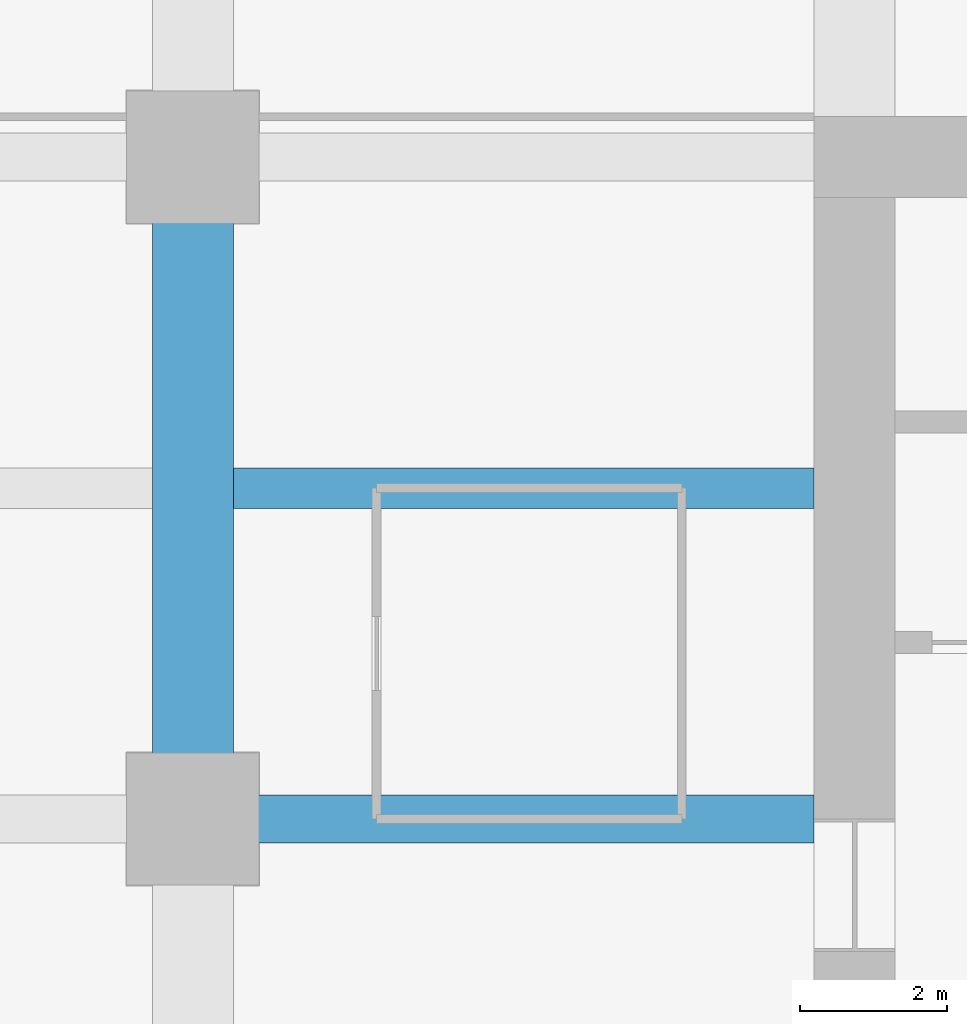
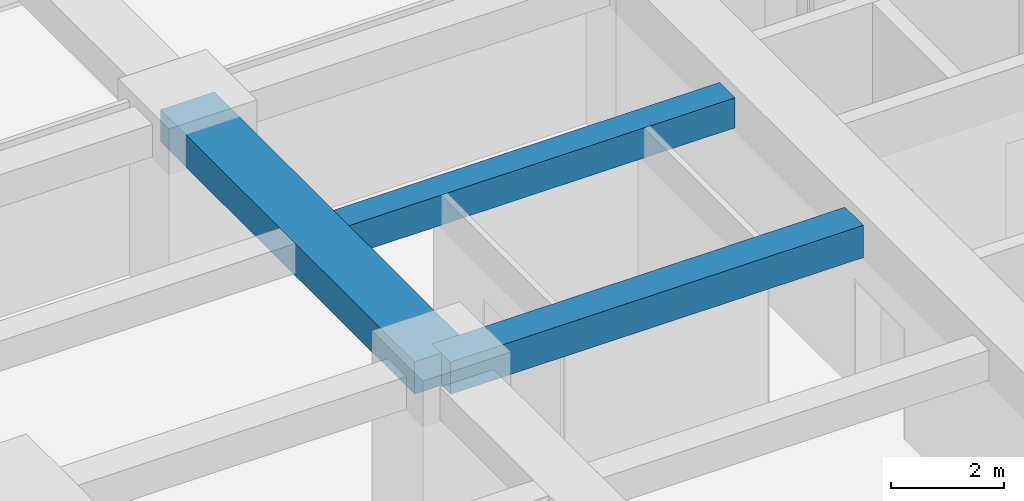
# One storey, part 12 of 39: 3 beams.
"""IFC4 building model written with IfcOpenShell, lengths in metres."""

from ifc_helpers import new_model, si_unit, direction, frame, origin, origin_2d, place, context, subcontext, project, spatial, rectangle, extrude, material, material_profile, profile_set, type_object, element, save


model = new_model("IFC4")

# Units and contexts
model_context = context("Model", 3, precision=1e-05, world=origin(), true_north=direction((0.0, 1.0)))
body_context = subcontext(model_context, "Body", "Model", "MODEL_VIEW")
ifc_project = project(units=[si_unit("LENGTHUNIT", "METRE"), si_unit("AREAUNIT", "SQUARE_METRE"), si_unit("VOLUMEUNIT", "CUBIC_METRE"), si_unit("PLANEANGLEUNIT", "RADIAN"), si_unit("MASSUNIT", "GRAM", prefix="KILO")], contexts=[model_context])

# Site, building, storey
site_placement = place(None, origin())
site = spatial("IfcSite", under=ifc_project, at=site_placement, CompositionType="ELEMENT")
building_placement = place(site_placement, origin())
building = spatial("IfcBuilding", under=site, at=building_placement, Name="Zorevar Civic Tower", CompositionType="ELEMENT")
storey_placement = place(building_placement, frame((0.0, 0.0, 125.0)))
storey = spatial("IfcBuildingStorey", under=building, at=storey_placement, Name="L30", CompositionType="ELEMENT", Elevation=125.0)

# Beams
ifc_material_1 = material(Name="Concrete C50/60", Category="concrete")
ifc_material_profile_1 = material_profile(ifc_material_1, rectangle(XDim=1.10009765625, YDim=0.699951171875, at=origin_2d()), Name="RC 1100x700")
ifc_profile_set_1 = profile_set([ifc_material_profile_1], Name="Concrete C50/60")
beam_type_1 = type_object("IfcBeamType", Name="Beam RC 1100x700", PredefinedType="BEAM", material=ifc_profile_set_1)
beam_1_placement = place(storey_placement, frame((9.0, 27.0, 3.39990234375), z_axis=(0.0, 1.0, 0.0), x_axis=(-1.0, 0.0, 0.0)))
element("IfcBeam", 1, at=beam_1_placement, inside=storey, type_object=beam_type_1, Name="Girder L31", PredefinedType="BEAM", context=body_context, shape_type="SweptSolid", body=[
    extrude(rectangle(XDim=1.10009765625, YDim=0.699951171875, at=origin_2d()), origin(), (0.0, 0.0, 1.0), 9.0),
])
ifc_material_2 = material(Name="Concrete C50/60", Category="concrete")
ifc_material_profile_2 = material_profile(ifc_material_2, rectangle(XDim=0.550048828125, YDim=0.64990234375, at=origin_2d()), Name="RC 550x650")
ifc_profile_set_2 = profile_set([ifc_material_profile_2], Name="Concrete C50/60")
beam_type_2 = type_object("IfcBeamType", Name="Beam RC 550x650", PredefinedType="BEAM", material=ifc_profile_set_2)
beam_2_placement = place(storey_placement, frame((9.550048828125, 31.5, 3.425048828125), z_axis=(1.0, 0.0, 0.0), x_axis=(0.0, 1.0, 0.0)))
element("IfcBeam", 2, at=beam_2_placement, inside=storey, type_object=beam_type_2, Name="Secondary beam L31", PredefinedType="BEAM", context=body_context, shape_type="SweptSolid", body=[
    extrude(rectangle(XDim=0.550048828125, YDim=0.64990234375, at=origin_2d()), origin(), (0.0, 0.0, 1.0), 7.89990234375),
])
ifc_material_3 = material(Name="Concrete C50/60", Category="concrete")
ifc_material_profile_3 = material_profile(ifc_material_3, rectangle(XDim=0.64990234375, YDim=0.699951171875, at=origin_2d()), Name="RC 650x700")
ifc_profile_set_3 = profile_set([ifc_material_profile_3], Name="Concrete C50/60")
beam_type_3 = type_object("IfcBeamType", Name="Beam RC 650x700", PredefinedType="BEAM", material=ifc_profile_set_3)
beam_3_placement = place(storey_placement, frame((9.0, 27.0, 3.39990234375), z_axis=(1.0, 0.0, 0.0), x_axis=(0.0, 1.0, 0.0)))
element("IfcBeam", 3, at=beam_3_placement, inside=storey, type_object=beam_type_3, Name="Girder L31", PredefinedType="BEAM", context=body_context, shape_type="SweptSolid", body=[
    extrude(rectangle(XDim=0.64990234375, YDim=0.699951171875, at=origin_2d()), origin(), (0.0, 0.0, 1.0), 8.449951171875),
])

save(model, "model.ifc")
